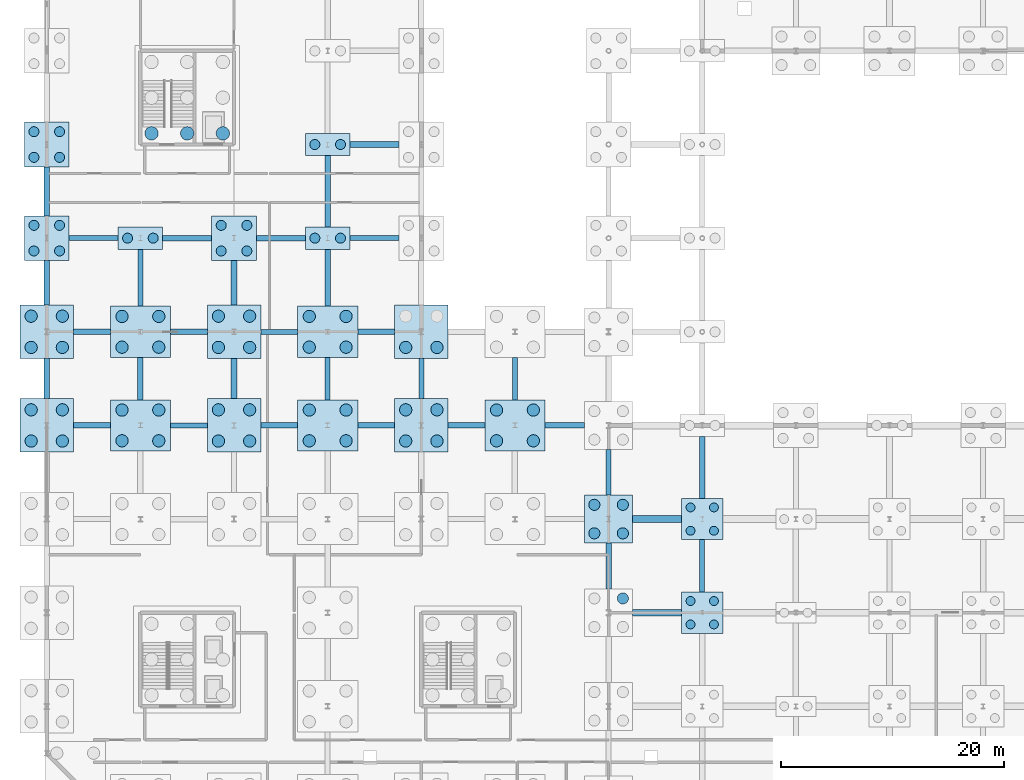
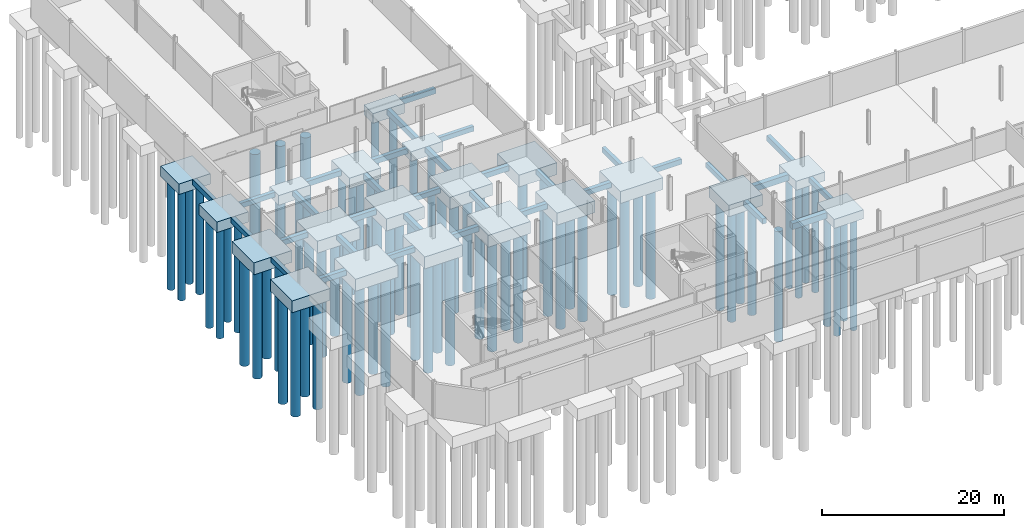
# One storey, part 2 of 51: 76 piles, 53 footings.
"""IFC4 building model written with IfcOpenShell, lengths in metres."""

from ifc_helpers import new_model, si_unit, direction, frame, origin, origin_2d, place, context, subcontext, project, spatial, rectangle, circle, extrude, material, material_profile, profile_set, type_object, element, save


model = new_model("IFC4")

# Units and contexts
model_context = context("Model", 3, precision=1e-05, world=origin(), true_north=direction((0.0, 1.0)))
body_context = subcontext(model_context, "Body", "Model", "MODEL_VIEW")
ifc_project = project(units=[si_unit("LENGTHUNIT", "METRE"), si_unit("AREAUNIT", "SQUARE_METRE"), si_unit("VOLUMEUNIT", "CUBIC_METRE"), si_unit("PLANEANGLEUNIT", "RADIAN"), si_unit("MASSUNIT", "GRAM", prefix="KILO")], contexts=[model_context])

# Site, building, storey
site_placement = place(None, origin())
site = spatial("IfcSite", under=ifc_project, at=site_placement, CompositionType="ELEMENT")
building_placement = place(site_placement, origin())
building = spatial("IfcBuilding", under=site, at=building_placement, Name="Qalvenar Corner Mobility Hub", CompositionType="ELEMENT")
storey_placement = place(building_placement, frame((0.0, 0.0, -4.5)))
storey = spatial("IfcBuildingStorey", under=building, at=storey_placement, Name="B1", CompositionType="ELEMENT", Elevation=-4.5)

# Footings
ifc_material = material(Name="Concrete C40/50", Category="concrete")
footing_type_1 = type_object("IfcFootingType", Name="PC-28X28X12", PredefinedType="PILE_CAP", material=ifc_material)
for number, where, z_axis, x_axis, name in (
    (1, (58.800048828125, 16.800048828125, -1.5498046875), (0.0, 0.0, 1.0), (1.0, 0.0, 0.0), "Pile Cap G8-2"),
    (2, (58.800048828125, 25.199951171875, -1.5498046875), (0.0, 0.0, 1.0), (1.0, 0.0, 0.0), "Pile Cap G8-3"),
):
    element("IfcFooting", number, at=place(storey_placement, frame(where, z_axis=z_axis, x_axis=x_axis)), inside=storey, type_object=footing_type_1, Name=name, PredefinedType="PILE_CAP", context=body_context, shape_type="SweptSolid", body=[
        extrude(rectangle(XDim=3.699951171875, YDim=3.699951171875, at=origin_2d()), origin(), (0.0, 0.0, 1.0), 1.199951171875),
    ])
footing_type_2 = type_object("IfcFootingType", Name="PC-32X24X13", PredefinedType="PILE_CAP", material=ifc_material)
for number, where, z_axis, x_axis, name in (
    (3, (8.39990234375, 50.39990234375, -1.64990234375), (0.0, 0.0, 1.0), (1.0, 0.0, 0.0), "Pile Cap G2-6"),
    (4, (25.199951171875, 50.39990234375, -1.64990234375), (0.0, 0.0, 1.0), (1.0, 0.0, 0.0), "Pile Cap G4-6"),
    (5, (25.199951171875, 58.800048828125, -1.64990234375), (0.0, 0.0, 1.0), (1.0, 0.0, 0.0), "Pile Cap G4-7"),
):
    element("IfcFooting", number, at=place(storey_placement, frame(where, z_axis=z_axis, x_axis=x_axis)), inside=storey, type_object=footing_type_2, Name=name, PredefinedType="PILE_CAP", context=body_context, shape_type="SweptSolid", body=[
        extrude(rectangle(XDim=4.0, YDim=2.0, at=origin_2d()), origin(), (0.0, 0.0, 1.0), 1.300048828125),
    ])
footing_type_3 = type_object("IfcFootingType", Name="PC-34X34X14", PredefinedType="PILE_CAP", material=ifc_material)
for number, where, z_axis, x_axis, name in (
    (6, (0.0, 50.39990234375, -1.75), (0.0, 0.0, 1.0), (1.0, 0.0, 0.0), "Pile Cap G1-6"),
    (7, (0.0, 58.800048828125, -1.75), (0.0, 0.0, 1.0), (1.0, 0.0, 0.0), "Pile Cap G1-7"),
    (8, (16.800048828125, 50.39990234375, -1.75), (0.0, 0.0, 1.0), (1.0, 0.0, 0.0), "Pile Cap G3-6"),
):
    element("IfcFooting", number, at=place(storey_placement, frame(where, z_axis=z_axis, x_axis=x_axis)), inside=storey, type_object=footing_type_3, Name=name, PredefinedType="PILE_CAP", context=body_context, shape_type="SweptSolid", body=[
        extrude(rectangle(XDim=4.0, YDim=4.0, at=origin_2d()), origin(), (0.0, 0.0, 1.0), 1.39990234375),
    ])
footing_type_4 = type_object("IfcFootingType", Name="PC-38X38X15", PredefinedType="PILE_CAP", material=ifc_material)
footing_1_placement = place(storey_placement, frame((50.39990234375, 25.199951171875, -1.85009765625), z_axis=(0.0, 0.0, 1.0), x_axis=(1.0, 0.0, 0.0)))
element("IfcFooting", 9, at=footing_1_placement, inside=storey, type_object=footing_type_4, Name="Pile Cap G7-3", PredefinedType="PILE_CAP", context=body_context, shape_type="SweptSolid", body=[
    extrude(rectangle(XDim=4.300048828125, YDim=4.300048828125, at=origin_2d()), origin(), (0.0, 0.0, 1.0), 1.5),
])
footing_type_5 = type_object("IfcFootingType", Name="PC-46X46X16", PredefinedType="PILE_CAP", material=ifc_material)
for number, where, z_axis, x_axis, name in (
    (10, (0.0, 33.60009765625, -1.949951171875), (0.0, 0.0, 1.0), (1.0, 0.0, 0.0), "Pile Cap G1-4"),
    (11, (0.0, 42.0, -1.949951171875), (0.0, 0.0, 1.0), (1.0, 0.0, 0.0), "Pile Cap G1-5"),
    (12, (16.800048828125, 33.60009765625, -1.949951171875), (0.0, 0.0, 1.0), (1.0, 0.0, 0.0), "Pile Cap G3-4"),
    (13, (16.800048828125, 42.0, -1.949951171875), (0.0, 0.0, 1.0), (1.0, 0.0, 0.0), "Pile Cap G3-5"),
    (14, (33.60009765625, 33.60009765625, -1.949951171875), (0.0, 0.0, 1.0), (1.0, 0.0, 0.0), "Pile Cap G5-4"),
    (15, (33.60009765625, 42.0, -1.949951171875), (0.0, 0.0, 1.0), (1.0, 0.0, 0.0), "Pile Cap G5-5"),
):
    element("IfcFooting", number, at=place(storey_placement, frame(where, z_axis=z_axis, x_axis=x_axis)), inside=storey, type_object=footing_type_5, Name=name, PredefinedType="PILE_CAP", context=body_context, shape_type="SweptSolid", body=[
        extrude(rectangle(XDim=4.800048828125, YDim=4.800048828125, at=origin_2d()), origin(), (0.0, 0.0, 1.0), 1.60009765625),
    ])
footing_type_6 = type_object("IfcFootingType", Name="PC-52X42X16", PredefinedType="PILE_CAP", material=ifc_material)
for number, where, z_axis, x_axis, name in (
    (16, (8.39990234375, 33.60009765625, -1.949951171875), (0.0, 0.0, 1.0), (1.0, 0.0, 0.0), "Pile Cap G2-4"),
    (17, (8.39990234375, 42.0, -1.949951171875), (0.0, 0.0, 1.0), (1.0, 0.0, 0.0), "Pile Cap G2-5"),
    (18, (25.199951171875, 33.60009765625, -1.949951171875), (0.0, 0.0, 1.0), (1.0, 0.0, 0.0), "Pile Cap G4-4"),
    (19, (25.199951171875, 42.0, -1.949951171875), (0.0, 0.0, 1.0), (1.0, 0.0, 0.0), "Pile Cap G4-5"),
    (20, (42.0, 33.60009765625, -1.949951171875), (0.0, 0.0, 1.0), (1.0, 0.0, 0.0), "Pile Cap G6-4"),
):
    element("IfcFooting", number, at=place(storey_placement, frame(where, z_axis=z_axis, x_axis=x_axis)), inside=storey, type_object=footing_type_6, Name=name, PredefinedType="PILE_CAP", context=body_context, shape_type="SweptSolid", body=[
        extrude(rectangle(XDim=5.39990234375, YDim=4.60009765625, at=origin_2d()), origin(), (0.0, 0.0, 1.0), 1.60009765625),
    ])

# Piles
ifc_material_profile_1 = material_profile(ifc_material, circle(Radius=0.5, at=origin_2d()), Name="DIA1000")
ifc_profile_set_1 = profile_set([ifc_material_profile_1], Name="Concrete C40/50")
pile_type_1 = type_object("IfcPileType", Name="PILE-1000", PredefinedType="BORED", material=ifc_profile_set_1)
for number, where, z_axis, x_axis, name in (
    (21, (51.679931640625, 18.080078125, -1.699951171875), (0.0, 0.0, -1.0), (1.0, 0.0, 0.0), "Bored Pile G7-2-4"),
    (22, (49.1201171875, 23.919921875, -1.699951171875), (0.0, 0.0, -1.0), (1.0, 0.0, 0.0), "Bored Pile G7-3-1"),
    (23, (49.1201171875, 26.47998046875, -1.699951171875), (0.0, 0.0, -1.0), (1.0, 0.0, 0.0), "Bored Pile G7-3-2"),
    (24, (51.679931640625, 23.919921875, -1.699951171875), (0.0, 0.0, -1.0), (1.0, 0.0, 0.0), "Bored Pile G7-3-3"),
    (25, (51.679931640625, 26.47998046875, -1.699951171875), (0.0, 0.0, -1.0), (1.0, 0.0, 0.0), "Bored Pile G7-3-4"),
):
    element("IfcPile", number, at=place(storey_placement, frame(where, z_axis=z_axis, x_axis=x_axis)), inside=storey, type_object=pile_type_1, Name=name, PredefinedType="BORED", context=body_context, shape_type="SweptSolid", body=[
        extrude(circle(Radius=0.5, at=origin_2d()), origin(), (0.0, 0.0, 1.0), 14.800048828125),
    ])
ifc_material_profile_2 = material_profile(ifc_material, circle(Radius=0.550048828125, at=origin_2d()), Name="DIA1100")
ifc_profile_set_2 = profile_set([ifc_material_profile_2], Name="Concrete C40/50")
pile_type_2 = type_object("IfcPileType", Name="PILE-1100", PredefinedType="BORED", material=ifc_profile_set_2)
for number, where, z_axis, x_axis, name in (
    (26, (-1.39990234375, 32.199951171875, -1.800048828125), (0.0, 0.0, -1.0), (1.0, 0.0, 0.0), "Bored Pile G1-4-1"),
    (27, (-1.39990234375, 35.0, -1.800048828125), (0.0, 0.0, -1.0), (1.0, 0.0, 0.0), "Bored Pile G1-4-2"),
    (28, (1.39990234375, 32.199951171875, -1.800048828125), (0.0, 0.0, -1.0), (1.0, 0.0, 0.0), "Bored Pile G1-4-3"),
    (29, (1.39990234375, 35.0, -1.800048828125), (0.0, 0.0, -1.0), (1.0, 0.0, 0.0), "Bored Pile G1-4-4"),
    (30, (-1.39990234375, 40.60009765625, -1.800048828125), (0.0, 0.0, -1.0), (1.0, 0.0, 0.0), "Bored Pile G1-5-1"),
    (31, (-1.39990234375, 43.39990234375, -1.800048828125), (0.0, 0.0, -1.0), (1.0, 0.0, 0.0), "Bored Pile G1-5-2"),
    (32, (1.39990234375, 40.60009765625, -1.800048828125), (0.0, 0.0, -1.0), (1.0, 0.0, 0.0), "Bored Pile G1-5-3"),
    (33, (1.39990234375, 43.39990234375, -1.800048828125), (0.0, 0.0, -1.0), (1.0, 0.0, 0.0), "Bored Pile G1-5-4"),
    (34, (6.75, 32.219970703125, -1.800048828125), (0.0, 0.0, -1.0), (1.0, 0.0, 0.0), "Bored Pile G2-4-1"),
    (35, (6.75, 34.97998046875, -1.800048828125), (0.0, 0.0, -1.0), (1.0, 0.0, 0.0), "Bored Pile G2-4-2"),
    (36, (10.050048828125, 32.219970703125, -1.800048828125), (0.0, 0.0, -1.0), (1.0, 0.0, 0.0), "Bored Pile G2-4-3"),
    (37, (10.050048828125, 34.97998046875, -1.800048828125), (0.0, 0.0, -1.0), (1.0, 0.0, 0.0), "Bored Pile G2-4-4"),
    (38, (6.75, 40.6201171875, -1.800048828125), (0.0, 0.0, -1.0), (1.0, 0.0, 0.0), "Bored Pile G2-5-1"),
    (39, (6.75, 43.3798828125, -1.800048828125), (0.0, 0.0, -1.0), (1.0, 0.0, 0.0), "Bored Pile G2-5-2"),
    (40, (10.050048828125, 40.6201171875, -1.800048828125), (0.0, 0.0, -1.0), (1.0, 0.0, 0.0), "Bored Pile G2-5-3"),
    (41, (10.050048828125, 43.3798828125, -1.800048828125), (0.0, 0.0, -1.0), (1.0, 0.0, 0.0), "Bored Pile G2-5-4"),
    (42, (15.39990234375, 32.199951171875, -1.800048828125), (0.0, 0.0, -1.0), (1.0, 0.0, 0.0), "Bored Pile G3-4-1"),
    (43, (15.39990234375, 35.0, -1.800048828125), (0.0, 0.0, -1.0), (1.0, 0.0, 0.0), "Bored Pile G3-4-2"),
    (44, (18.199951171875, 32.199951171875, -1.800048828125), (0.0, 0.0, -1.0), (1.0, 0.0, 0.0), "Bored Pile G3-4-3"),
    (45, (18.199951171875, 35.0, -1.800048828125), (0.0, 0.0, -1.0), (1.0, 0.0, 0.0), "Bored Pile G3-4-4"),
    (46, (15.39990234375, 40.60009765625, -1.800048828125), (0.0, 0.0, -1.0), (1.0, 0.0, 0.0), "Bored Pile G3-5-1"),
    (47, (15.39990234375, 43.39990234375, -1.800048828125), (0.0, 0.0, -1.0), (1.0, 0.0, 0.0), "Bored Pile G3-5-2"),
    (48, (18.199951171875, 40.60009765625, -1.800048828125), (0.0, 0.0, -1.0), (1.0, 0.0, 0.0), "Bored Pile G3-5-3"),
    (49, (18.199951171875, 43.39990234375, -1.800048828125), (0.0, 0.0, -1.0), (1.0, 0.0, 0.0), "Bored Pile G3-5-4"),
    (50, (23.550048828125, 32.219970703125, -1.800048828125), (0.0, 0.0, -1.0), (1.0, 0.0, 0.0), "Bored Pile G4-4-1"),
    (51, (23.550048828125, 34.97998046875, -1.800048828125), (0.0, 0.0, -1.0), (1.0, 0.0, 0.0), "Bored Pile G4-4-2"),
    (52, (26.85009765625, 32.219970703125, -1.800048828125), (0.0, 0.0, -1.0), (1.0, 0.0, 0.0), "Bored Pile G4-4-3"),
    (53, (26.85009765625, 34.97998046875, -1.800048828125), (0.0, 0.0, -1.0), (1.0, 0.0, 0.0), "Bored Pile G4-4-4"),
    (54, (23.550048828125, 40.6201171875, -1.800048828125), (0.0, 0.0, -1.0), (1.0, 0.0, 0.0), "Bored Pile G4-5-1"),
    (55, (23.550048828125, 43.3798828125, -1.800048828125), (0.0, 0.0, -1.0), (1.0, 0.0, 0.0), "Bored Pile G4-5-2"),
    (56, (26.85009765625, 40.6201171875, -1.800048828125), (0.0, 0.0, -1.0), (1.0, 0.0, 0.0), "Bored Pile G4-5-3"),
    (57, (26.85009765625, 43.3798828125, -1.800048828125), (0.0, 0.0, -1.0), (1.0, 0.0, 0.0), "Bored Pile G4-5-4"),
    (58, (32.199951171875, 32.199951171875, -1.800048828125), (0.0, 0.0, -1.0), (1.0, 0.0, 0.0), "Bored Pile G5-4-1"),
    (59, (32.199951171875, 35.0, -1.800048828125), (0.0, 0.0, -1.0), (1.0, 0.0, 0.0), "Bored Pile G5-4-2"),
    (60, (35.0, 32.199951171875, -1.800048828125), (0.0, 0.0, -1.0), (1.0, 0.0, 0.0), "Bored Pile G5-4-3"),
    (61, (35.0, 35.0, -1.800048828125), (0.0, 0.0, -1.0), (1.0, 0.0, 0.0), "Bored Pile G5-4-4"),
    (62, (32.199951171875, 40.60009765625, -1.800048828125), (0.0, 0.0, -1.0), (1.0, 0.0, 0.0), "Bored Pile G5-5-1"),
    (63, (35.0, 40.60009765625, -1.800048828125), (0.0, 0.0, -1.0), (1.0, 0.0, 0.0), "Bored Pile G5-5-3"),
    (64, (40.35009765625, 32.219970703125, -1.800048828125), (0.0, 0.0, -1.0), (1.0, 0.0, 0.0), "Bored Pile G6-4-1"),
    (65, (40.35009765625, 34.97998046875, -1.800048828125), (0.0, 0.0, -1.0), (1.0, 0.0, 0.0), "Bored Pile G6-4-2"),
    (66, (43.64990234375, 32.219970703125, -1.800048828125), (0.0, 0.0, -1.0), (1.0, 0.0, 0.0), "Bored Pile G6-4-3"),
    (67, (43.64990234375, 34.97998046875, -1.800048828125), (0.0, 0.0, -1.0), (1.0, 0.0, 0.0), "Bored Pile G6-4-4"),
):
    element("IfcPile", number, at=place(storey_placement, frame(where, z_axis=z_axis, x_axis=x_axis)), inside=storey, type_object=pile_type_2, Name=name, PredefinedType="BORED", context=body_context, shape_type="SweptSolid", body=[
        extrude(circle(Radius=0.550048828125, at=origin_2d()), origin(), (0.0, 0.0, 1.0), 14.699951171875),
    ])
ifc_material_profile_3 = material_profile(ifc_material, circle(Radius=0.60009765625, at=origin_2d()), Name="DIA1200")
ifc_profile_set_3 = profile_set([ifc_material_profile_3], Name="Concrete C40/50")
pile_type_3 = type_object("IfcPileType", Name="PILE-1200", PredefinedType="BORED", material=ifc_profile_set_3)
for number, where, z_axis, x_axis, name in (
    (68, (9.39990234375, 59.800048828125, -1.800048828125), (0.0, 0.0, -1.0), (1.0, 0.0, 0.0), "Bored Pile C5-01"),
    (69, (12.60009765625, 59.800048828125, -1.800048828125), (0.0, 0.0, -1.0), (1.0, 0.0, 0.0), "Bored Pile C5-04"),
    (70, (15.800048828125, 59.800048828125, -1.800048828125), (0.0, 0.0, -1.0), (1.0, 0.0, 0.0), "Bored Pile C5-07"),
):
    element("IfcPile", number, at=place(storey_placement, frame(where, z_axis=z_axis, x_axis=x_axis)), inside=storey, type_object=pile_type_3, Name=name, PredefinedType="BORED", context=body_context, shape_type="SweptSolid", body=[
        extrude(circle(Radius=0.60009765625, at=origin_2d()), origin(), (0.0, 0.0, 1.0), 14.699951171875),
    ])
ifc_material_profile_4 = material_profile(ifc_material, circle(Radius=0.39990234375, at=origin_2d()), Name="DIA800")
ifc_profile_set_4 = profile_set([ifc_material_profile_4], Name="Concrete C40/50")
pile_type_4 = type_object("IfcPileType", Name="PILE-800", PredefinedType="BORED", material=ifc_profile_set_4)
for number, where, z_axis, x_axis, name in (
    (71, (57.75, 15.75, -1.39990234375), (0.0, 0.0, -1.0), (1.0, 0.0, 0.0), "Bored Pile G8-2-1"),
    (72, (57.75, 17.85009765625, -1.39990234375), (0.0, 0.0, -1.0), (1.0, 0.0, 0.0), "Bored Pile G8-2-2"),
    (73, (59.85009765625, 15.75, -1.39990234375), (0.0, 0.0, -1.0), (1.0, 0.0, 0.0), "Bored Pile G8-2-3"),
    (74, (59.85009765625, 17.85009765625, -1.39990234375), (0.0, 0.0, -1.0), (1.0, 0.0, 0.0), "Bored Pile G8-2-4"),
    (75, (57.75, 24.14990234375, -1.39990234375), (0.0, 0.0, -1.0), (1.0, 0.0, 0.0), "Bored Pile G8-3-1"),
    (76, (57.75, 26.25, -1.39990234375), (0.0, 0.0, -1.0), (1.0, 0.0, 0.0), "Bored Pile G8-3-2"),
    (77, (59.85009765625, 24.14990234375, -1.39990234375), (0.0, 0.0, -1.0), (1.0, 0.0, 0.0), "Bored Pile G8-3-3"),
    (78, (59.85009765625, 26.25, -1.39990234375), (0.0, 0.0, -1.0), (1.0, 0.0, 0.0), "Bored Pile G8-3-4"),
):
    element("IfcPile", number, at=place(storey_placement, frame(where, z_axis=z_axis, x_axis=x_axis)), inside=storey, type_object=pile_type_4, Name=name, PredefinedType="BORED", context=body_context, shape_type="SweptSolid", body=[
        extrude(circle(Radius=0.39990234375, at=origin_2d()), origin(), (0.0, 0.0, 1.0), 15.10009765625),
    ])
ifc_material_profile_5 = material_profile(ifc_material, circle(Radius=0.449951171875, at=origin_2d()), Name="DIA900")
ifc_profile_set_5 = profile_set([ifc_material_profile_5], Name="Concrete C40/50")
pile_type_5 = type_object("IfcPileType", Name="PILE-900", PredefinedType="BORED", material=ifc_profile_set_5)
for number, where, z_axis, x_axis, name in (
    (79, (-1.14990234375, 49.25, -1.60009765625), (0.0, 0.0, -1.0), (1.0, 0.0, 0.0), "Bored Pile G1-6-1"),
    (80, (-1.14990234375, 51.550048828125, -1.60009765625), (0.0, 0.0, -1.0), (1.0, 0.0, 0.0), "Bored Pile G1-6-2"),
    (81, (1.14990234375, 49.25, -1.60009765625), (0.0, 0.0, -1.0), (1.0, 0.0, 0.0), "Bored Pile G1-6-3"),
    (82, (1.14990234375, 51.550048828125, -1.60009765625), (0.0, 0.0, -1.0), (1.0, 0.0, 0.0), "Bored Pile G1-6-4"),
    (83, (-1.14990234375, 57.64990234375, -1.60009765625), (0.0, 0.0, -1.0), (1.0, 0.0, 0.0), "Bored Pile G1-7-1"),
    (84, (-1.14990234375, 59.949951171875, -1.60009765625), (0.0, 0.0, -1.0), (1.0, 0.0, 0.0), "Bored Pile G1-7-2"),
    (85, (1.14990234375, 57.64990234375, -1.60009765625), (0.0, 0.0, -1.0), (1.0, 0.0, 0.0), "Bored Pile G1-7-3"),
    (86, (1.14990234375, 59.949951171875, -1.60009765625), (0.0, 0.0, -1.0), (1.0, 0.0, 0.0), "Bored Pile G1-7-4"),
):
    element("IfcPile", number, at=place(storey_placement, frame(where, z_axis=z_axis, x_axis=x_axis)), inside=storey, type_object=pile_type_5, Name=name, PredefinedType="BORED", context=body_context, shape_type="SweptSolid", body=[
        extrude(circle(Radius=0.449951171875, at=origin_2d()), origin(), (0.0, 0.0, 1.0), 14.89990234375),
    ])
for number, where, z_axis, x_axis, name in (
    (87, (7.25, 50.39990234375, -1.5), (0.0, 0.0, -1.0), (1.0, 0.0, 0.0), "Bored Pile G2-6-1"),
    (88, (9.550048828125, 50.39990234375, -1.5), (0.0, 0.0, -1.0), (1.0, 0.0, 0.0), "Bored Pile G2-6-2"),
):
    element("IfcPile", number, at=place(storey_placement, frame(where, z_axis=z_axis, x_axis=x_axis)), inside=storey, type_object=pile_type_5, Name=name, PredefinedType="BORED", context=body_context, shape_type="SweptSolid", body=[
        extrude(circle(Radius=0.449951171875, at=origin_2d()), origin(), (0.0, 0.0, 1.0), 15.0),
    ])
for number, where, z_axis, x_axis, name in (
    (89, (15.64990234375, 49.25, -1.60009765625), (0.0, 0.0, -1.0), (1.0, 0.0, 0.0), "Bored Pile G3-6-1"),
    (90, (15.64990234375, 51.550048828125, -1.60009765625), (0.0, 0.0, -1.0), (1.0, 0.0, 0.0), "Bored Pile G3-6-2"),
    (91, (17.949951171875, 49.25, -1.60009765625), (0.0, 0.0, -1.0), (1.0, 0.0, 0.0), "Bored Pile G3-6-3"),
    (92, (17.949951171875, 51.550048828125, -1.60009765625), (0.0, 0.0, -1.0), (1.0, 0.0, 0.0), "Bored Pile G3-6-4"),
):
    element("IfcPile", number, at=place(storey_placement, frame(where, z_axis=z_axis, x_axis=x_axis)), inside=storey, type_object=pile_type_5, Name=name, PredefinedType="BORED", context=body_context, shape_type="SweptSolid", body=[
        extrude(circle(Radius=0.449951171875, at=origin_2d()), origin(), (0.0, 0.0, 1.0), 14.89990234375),
    ])
for number, where, z_axis, x_axis, name in (
    (93, (24.050048828125, 50.39990234375, -1.5), (0.0, 0.0, -1.0), (1.0, 0.0, 0.0), "Bored Pile G4-6-1"),
    (94, (26.35009765625, 50.39990234375, -1.5), (0.0, 0.0, -1.0), (1.0, 0.0, 0.0), "Bored Pile G4-6-2"),
    (95, (24.050048828125, 58.800048828125, -1.5), (0.0, 0.0, -1.0), (1.0, 0.0, 0.0), "Bored Pile G4-7-1"),
    (96, (26.35009765625, 58.800048828125, -1.5), (0.0, 0.0, -1.0), (1.0, 0.0, 0.0), "Bored Pile G4-7-2"),
):
    element("IfcPile", number, at=place(storey_placement, frame(where, z_axis=z_axis, x_axis=x_axis)), inside=storey, type_object=pile_type_5, Name=name, PredefinedType="BORED", context=body_context, shape_type="SweptSolid", body=[
        extrude(circle(Radius=0.449951171875, at=origin_2d()), origin(), (0.0, 0.0, 1.0), 15.0),
    ])

# Footings
ifc_material_profile_6 = material_profile(ifc_material, rectangle(XDim=0.449951171875, YDim=0.64990234375, at=origin_2d()), Name="RC450x650")
ifc_profile_set_6 = profile_set([ifc_material_profile_6], Name="Concrete C40/50")
footing_type_7 = type_object("IfcFootingType", Name="TB-450X650", PredefinedType="FOOTING_BEAM", material=ifc_profile_set_6)
footing_2_placement = place(storey_placement, frame((0.0, 36.0, -0.675048828125), z_axis=(0.0, 1.0, 0.0), x_axis=(-1.0, 0.0, 0.0)))
element("IfcFooting", 97, at=footing_2_placement, inside=storey, type_object=footing_type_7, Name="Foundation Tie Beam TB-006", PredefinedType="FOOTING_BEAM", context=body_context, shape_type="SweptSolid", body=[
    extrude(rectangle(XDim=0.449951171875, YDim=0.64990234375, at=origin_2d()), origin(), (0.0, 0.0, 1.0), 3.60009765625),
])
footing_3_placement = place(storey_placement, frame((2.0, 50.39990234375, -0.675048828125), z_axis=(1.0, 0.0, 0.0), x_axis=(0.0, 1.0, 0.0)))
element("IfcFooting", 98, at=footing_3_placement, inside=storey, type_object=footing_type_7, Name="Foundation Tie Beam TB-009", PredefinedType="FOOTING_BEAM", context=body_context, shape_type="SweptSolid", body=[
    extrude(rectangle(XDim=0.449951171875, YDim=0.64990234375, at=origin_2d()), origin(), (0.0, 0.0, 1.0), 4.39990234375),
])
footing_4_placement = place(storey_placement, frame((11.10009765625, 33.60009765625, -0.675048828125), z_axis=(1.0, 0.0, 0.0), x_axis=(0.0, 1.0, 0.0)))
element("IfcFooting", 99, at=footing_4_placement, inside=storey, type_object=footing_type_7, Name="Foundation Tie Beam TB-021", PredefinedType="FOOTING_BEAM", context=body_context, shape_type="SweptSolid", body=[
    extrude(rectangle(XDim=0.449951171875, YDim=0.64990234375, at=origin_2d()), origin(), (0.0, 0.0, 1.0), 3.2998046875),
])
footing_5_placement = place(storey_placement, frame((8.39990234375, 44.300048828125, -0.675048828125), z_axis=(0.0, 1.0, 0.0), x_axis=(-1.0, 0.0, 0.0)))
element("IfcFooting", 100, at=footing_5_placement, inside=storey, type_object=footing_type_7, Name="Foundation Tie Beam TB-024", PredefinedType="FOOTING_BEAM", context=body_context, shape_type="SweptSolid", body=[
    extrude(rectangle(XDim=0.449951171875, YDim=0.64990234375, at=origin_2d()), origin(), (0.0, 0.0, 1.0), 5.099853515625),
])
footing_6_placement = place(storey_placement, frame((19.199951171875, 42.0, -0.675048828125), z_axis=(1.0, 0.0, 0.0), x_axis=(0.0, 1.0, 0.0)))
element("IfcFooting", 101, at=footing_6_placement, inside=storey, type_object=footing_type_7, Name="Foundation Tie Beam TB-036", PredefinedType="FOOTING_BEAM", context=body_context, shape_type="SweptSolid", body=[
    extrude(rectangle(XDim=0.449951171875, YDim=0.64990234375, at=origin_2d()), origin(), (0.0, 0.0, 1.0), 3.300048828125),
])
footing_7_placement = place(storey_placement, frame((25.199951171875, 35.89990234375, -0.675048828125), z_axis=(0.0, 1.0, 0.0), x_axis=(-1.0, 0.0, 0.0)))
element("IfcFooting", 102, at=footing_7_placement, inside=storey, type_object=footing_type_7, Name="Foundation Tie Beam TB-051", PredefinedType="FOOTING_BEAM", context=body_context, shape_type="SweptSolid", body=[
    extrude(rectangle(XDim=0.449951171875, YDim=0.64990234375, at=origin_2d()), origin(), (0.0, 0.0, 1.0), 3.800048828125),
])
footing_8_placement = place(storey_placement, frame((27.199951171875, 50.39990234375, -0.675048828125), z_axis=(1.0, 0.0, 0.0), x_axis=(0.0, 1.0, 0.0)))
element("IfcFooting", 103, at=footing_8_placement, inside=storey, type_object=footing_type_7, Name="Foundation Tie Beam TB-054", PredefinedType="FOOTING_BEAM", context=body_context, shape_type="SweptSolid", body=[
    extrude(rectangle(XDim=0.449951171875, YDim=0.64990234375, at=origin_2d()), origin(), (0.0, 0.0, 1.0), 4.400146484375),
])
footing_9_placement = place(storey_placement, frame((33.60009765625, 36.0, -0.675048828125), z_axis=(0.0, 1.0, 0.0), x_axis=(-1.0, 0.0, 0.0)))
element("IfcFooting", 104, at=footing_9_placement, inside=storey, type_object=footing_type_7, Name="Foundation Tie Beam TB-069", PredefinedType="FOOTING_BEAM", context=body_context, shape_type="SweptSolid", body=[
    extrude(rectangle(XDim=0.449951171875, YDim=0.64990234375, at=origin_2d()), origin(), (0.0, 0.0, 1.0), 3.60009765625),
])
footing_10_placement = place(storey_placement, frame((42.0, 35.89990234375, -0.675048828125), z_axis=(0.0, 1.0, 0.0), x_axis=(-1.0, 0.0, 0.0)))
element("IfcFooting", 105, at=footing_10_placement, inside=storey, type_object=footing_type_7, Name="Foundation Tie Beam TB-081", PredefinedType="FOOTING_BEAM", context=body_context, shape_type="SweptSolid", body=[
    extrude(rectangle(XDim=0.449951171875, YDim=0.64990234375, at=origin_2d()), origin(), (0.0, 0.0, 1.0), 3.800048828125),
])
footing_11_placement = place(storey_placement, frame((50.39990234375, 27.35009765625, -0.675048828125), z_axis=(0.0, 1.0, 0.0), x_axis=(-1.0, 0.0, 0.0)))
element("IfcFooting", 106, at=footing_11_placement, inside=storey, type_object=footing_type_7, Name="Foundation Tie Beam TB-090", PredefinedType="FOOTING_BEAM", context=body_context, shape_type="SweptSolid", body=[
    extrude(rectangle(XDim=0.449951171875, YDim=0.64990234375, at=origin_2d()), origin(), (0.0, 0.0, 1.0), 4.099853515625),
])
footing_12_placement = place(storey_placement, frame((58.800048828125, 18.64990234375, -0.675048828125), z_axis=(0.0, 1.0, 0.0), x_axis=(-1.0, 0.0, 0.0)))
element("IfcFooting", 107, at=footing_12_placement, inside=storey, type_object=footing_type_7, Name="Foundation Tie Beam TB-105", PredefinedType="FOOTING_BEAM", context=body_context, shape_type="SweptSolid", body=[
    extrude(rectangle(XDim=0.449951171875, YDim=0.64990234375, at=origin_2d()), origin(), (0.0, 0.0, 1.0), 4.7001953125),
])
ifc_material_profile_7 = material_profile(ifc_material, rectangle(XDim=0.5, YDim=0.699951171875, at=origin_2d()), Name="RC500x700")
ifc_profile_set_7 = profile_set([ifc_material_profile_7], Name="Concrete C40/50")
footing_type_8 = type_object("IfcFootingType", Name="TB-500X700", PredefinedType="FOOTING_BEAM", material=ifc_profile_set_7)
for number, where, z_axis, x_axis, name in (
    (108, (2.39990234375, 33.60009765625, -0.699951171875), (1.0, 0.0, 0.0), (0.0, 1.0, 0.0), "Foundation Tie Beam TB-005"),
    (109, (2.39990234375, 42.0, -0.699951171875), (1.0, 0.0, 0.0), (0.0, 1.0, 0.0), "Foundation Tie Beam TB-007"),
):
    element("IfcFooting", number, at=place(storey_placement, frame(where, z_axis=z_axis, x_axis=x_axis)), inside=storey, type_object=footing_type_8, Name=name, PredefinedType="FOOTING_BEAM", context=body_context, shape_type="SweptSolid", body=[
        extrude(rectangle(XDim=0.5, YDim=0.699951171875, at=origin_2d()), origin(), (0.0, 0.0, 1.0), 3.300048828125),
    ])
footing_13_placement = place(storey_placement, frame((0.0, 44.39990234375, -0.699951171875), z_axis=(0.0, 1.0, 0.0), x_axis=(-1.0, 0.0, 0.0)))
element("IfcFooting", 110, at=footing_13_placement, inside=storey, type_object=footing_type_8, Name="Foundation Tie Beam TB-008", PredefinedType="FOOTING_BEAM", context=body_context, shape_type="SweptSolid", body=[
    extrude(rectangle(XDim=0.5, YDim=0.699951171875, at=origin_2d()), origin(), (0.0, 0.0, 1.0), 4.0),
])
footing_14_placement = place(storey_placement, frame((0.0, 52.39990234375, -0.699951171875), z_axis=(0.0, 1.0, 0.0), x_axis=(-1.0, 0.0, 0.0)))
element("IfcFooting", 111, at=footing_14_placement, inside=storey, type_object=footing_type_8, Name="Foundation Tie Beam TB-010", PredefinedType="FOOTING_BEAM", context=body_context, shape_type="SweptSolid", body=[
    extrude(rectangle(XDim=0.5, YDim=0.699951171875, at=origin_2d()), origin(), (0.0, 0.0, 1.0), 4.400146484375),
])
footing_15_placement = place(storey_placement, frame((8.39990234375, 35.89990234375, -0.699951171875), z_axis=(0.0, 1.0, 0.0), x_axis=(-1.0, 0.0, 0.0)))
element("IfcFooting", 112, at=footing_15_placement, inside=storey, type_object=footing_type_8, Name="Foundation Tie Beam TB-022", PredefinedType="FOOTING_BEAM", context=body_context, shape_type="SweptSolid", body=[
    extrude(rectangle(XDim=0.5, YDim=0.699951171875, at=origin_2d()), origin(), (0.0, 0.0, 1.0), 3.800048828125),
])
footing_16_placement = place(storey_placement, frame((11.10009765625, 42.0, -0.699951171875), z_axis=(1.0, 0.0, 0.0), x_axis=(0.0, 1.0, 0.0)))
element("IfcFooting", 113, at=footing_16_placement, inside=storey, type_object=footing_type_8, Name="Foundation Tie Beam TB-023", PredefinedType="FOOTING_BEAM", context=body_context, shape_type="SweptSolid", body=[
    extrude(rectangle(XDim=0.5, YDim=0.699951171875, at=origin_2d()), origin(), (0.0, 0.0, 1.0), 3.2998046875),
])
footing_17_placement = place(storey_placement, frame((10.39990234375, 50.39990234375, -0.699951171875), z_axis=(1.0, 0.0, 0.0), x_axis=(0.0, 1.0, 0.0)))
element("IfcFooting", 114, at=footing_17_placement, inside=storey, type_object=footing_type_8, Name="Foundation Tie Beam TB-025", PredefinedType="FOOTING_BEAM", context=body_context, shape_type="SweptSolid", body=[
    extrude(rectangle(XDim=0.5, YDim=0.699951171875, at=origin_2d()), origin(), (0.0, 0.0, 1.0), 4.400146484375),
])
footing_18_placement = place(storey_placement, frame((19.199951171875, 33.60009765625, -0.699951171875), z_axis=(1.0, 0.0, 0.0), x_axis=(0.0, 1.0, 0.0)))
element("IfcFooting", 115, at=footing_18_placement, inside=storey, type_object=footing_type_8, Name="Foundation Tie Beam TB-034", PredefinedType="FOOTING_BEAM", context=body_context, shape_type="SweptSolid", body=[
    extrude(rectangle(XDim=0.5, YDim=0.699951171875, at=origin_2d()), origin(), (0.0, 0.0, 1.0), 3.300048828125),
])
footing_19_placement = place(storey_placement, frame((16.800048828125, 36.0, -0.699951171875), z_axis=(0.0, 1.0, 0.0), x_axis=(-1.0, 0.0, 0.0)))
element("IfcFooting", 116, at=footing_19_placement, inside=storey, type_object=footing_type_8, Name="Foundation Tie Beam TB-035", PredefinedType="FOOTING_BEAM", context=body_context, shape_type="SweptSolid", body=[
    extrude(rectangle(XDim=0.5, YDim=0.699951171875, at=origin_2d()), origin(), (0.0, 0.0, 1.0), 3.60009765625),
])
footing_20_placement = place(storey_placement, frame((16.800048828125, 44.39990234375, -0.699951171875), z_axis=(0.0, 1.0, 0.0), x_axis=(-1.0, 0.0, 0.0)))
element("IfcFooting", 117, at=footing_20_placement, inside=storey, type_object=footing_type_8, Name="Foundation Tie Beam TB-037", PredefinedType="FOOTING_BEAM", context=body_context, shape_type="SweptSolid", body=[
    extrude(rectangle(XDim=0.5, YDim=0.699951171875, at=origin_2d()), origin(), (0.0, 0.0, 1.0), 4.0),
])
footing_21_placement = place(storey_placement, frame((18.800048828125, 50.39990234375, -0.699951171875), z_axis=(1.0, 0.0, 0.0), x_axis=(0.0, 1.0, 0.0)))
element("IfcFooting", 118, at=footing_21_placement, inside=storey, type_object=footing_type_8, Name="Foundation Tie Beam TB-038", PredefinedType="FOOTING_BEAM", context=body_context, shape_type="SweptSolid", body=[
    extrude(rectangle(XDim=0.5, YDim=0.699951171875, at=origin_2d()), origin(), (0.0, 0.0, 1.0), 4.39990234375),
])
for number, where, z_axis, x_axis, name in (
    (119, (27.89990234375, 33.60009765625, -0.699951171875), (1.0, 0.0, 0.0), (0.0, 1.0, 0.0), "Foundation Tie Beam TB-050"),
    (120, (27.89990234375, 42.0, -0.699951171875), (1.0, 0.0, 0.0), (0.0, 1.0, 0.0), "Foundation Tie Beam TB-052"),
):
    element("IfcFooting", number, at=place(storey_placement, frame(where, z_axis=z_axis, x_axis=x_axis)), inside=storey, type_object=footing_type_8, Name=name, PredefinedType="FOOTING_BEAM", context=body_context, shape_type="SweptSolid", body=[
        extrude(rectangle(XDim=0.5, YDim=0.699951171875, at=origin_2d()), origin(), (0.0, 0.0, 1.0), 3.300048828125),
    ])
footing_22_placement = place(storey_placement, frame((25.199951171875, 44.300048828125, -0.699951171875), z_axis=(0.0, 1.0, 0.0), x_axis=(-1.0, 0.0, 0.0)))
element("IfcFooting", 121, at=footing_22_placement, inside=storey, type_object=footing_type_8, Name="Foundation Tie Beam TB-053", PredefinedType="FOOTING_BEAM", context=body_context, shape_type="SweptSolid", body=[
    extrude(rectangle(XDim=0.5, YDim=0.699951171875, at=origin_2d()), origin(), (0.0, 0.0, 1.0), 5.099853515625),
])
footing_23_placement = place(storey_placement, frame((25.199951171875, 51.39990234375, -0.699951171875), z_axis=(0.0, 1.0, 0.0), x_axis=(-1.0, 0.0, 0.0)))
element("IfcFooting", 122, at=footing_23_placement, inside=storey, type_object=footing_type_8, Name="Foundation Tie Beam TB-055", PredefinedType="FOOTING_BEAM", context=body_context, shape_type="SweptSolid", body=[
    extrude(rectangle(XDim=0.5, YDim=0.699951171875, at=origin_2d()), origin(), (0.0, 0.0, 1.0), 6.400146484375),
])
footing_24_placement = place(storey_placement, frame((27.199951171875, 58.800048828125, -0.699951171875), z_axis=(1.0, 0.0, 0.0), x_axis=(0.0, 1.0, 0.0)))
element("IfcFooting", 123, at=footing_24_placement, inside=storey, type_object=footing_type_8, Name="Foundation Tie Beam TB-056", PredefinedType="FOOTING_BEAM", context=body_context, shape_type="SweptSolid", body=[
    extrude(rectangle(XDim=0.5, YDim=0.699951171875, at=origin_2d()), origin(), (0.0, 0.0, 1.0), 4.400146484375),
])
footing_25_placement = place(storey_placement, frame((36.0, 33.60009765625, -0.699951171875), z_axis=(1.0, 0.0, 0.0), x_axis=(0.0, 1.0, 0.0)))
element("IfcFooting", 124, at=footing_25_placement, inside=storey, type_object=footing_type_8, Name="Foundation Tie Beam TB-068", PredefinedType="FOOTING_BEAM", context=body_context, shape_type="SweptSolid", body=[
    extrude(rectangle(XDim=0.5, YDim=0.699951171875, at=origin_2d()), origin(), (0.0, 0.0, 1.0), 3.300048828125),
])
footing_26_placement = place(storey_placement, frame((44.699951171875, 33.60009765625, -0.699951171875), z_axis=(1.0, 0.0, 0.0), x_axis=(0.0, 1.0, 0.0)))
element("IfcFooting", 125, at=footing_26_placement, inside=storey, type_object=footing_type_8, Name="Foundation Tie Beam TB-080", PredefinedType="FOOTING_BEAM", context=body_context, shape_type="SweptSolid", body=[
    extrude(rectangle(XDim=0.5, YDim=0.699951171875, at=origin_2d()), origin(), (0.0, 0.0, 1.0), 3.550048828125),
])
footing_27_placement = place(storey_placement, frame((50.39990234375, 18.949951171875, -0.699951171875), z_axis=(0.0, 1.0, 0.0), x_axis=(-1.0, 0.0, 0.0)))
element("IfcFooting", 126, at=footing_27_placement, inside=storey, type_object=footing_type_8, Name="Foundation Tie Beam TB-088", PredefinedType="FOOTING_BEAM", context=body_context, shape_type="SweptSolid", body=[
    extrude(rectangle(XDim=0.5, YDim=0.699951171875, at=origin_2d()), origin(), (0.0, 0.0, 1.0), 4.10009765625),
])
footing_28_placement = place(storey_placement, frame((58.800048828125, 27.050048828125, -0.699951171875), z_axis=(0.0, 1.0, 0.0), x_axis=(-1.0, 0.0, 0.0)))
element("IfcFooting", 127, at=footing_28_placement, inside=storey, type_object=footing_type_8, Name="Foundation Tie Beam TB-107", PredefinedType="FOOTING_BEAM", context=body_context, shape_type="SweptSolid", body=[
    extrude(rectangle(XDim=0.5, YDim=0.699951171875, at=origin_2d()), origin(), (0.0, 0.0, 1.0), 5.550048828125),
])
ifc_material_profile_8 = material_profile(ifc_material, rectangle(XDim=0.60009765625, YDim=0.800048828125, at=origin_2d()), Name="RC600x800")
ifc_profile_set_8 = profile_set([ifc_material_profile_8], Name="Concrete C40/50")
footing_type_9 = type_object("IfcFootingType", Name="TB-600X800", PredefinedType="FOOTING_BEAM", material=ifc_profile_set_8)
for number, where, z_axis, x_axis, name in (
    (128, (52.550048828125, 16.800048828125, -0.75), (1.0, 0.0, 0.0), (0.0, 1.0, 0.0), "Foundation Tie Beam TB-087"),
    (129, (52.550048828125, 25.199951171875, -0.75), (1.0, 0.0, 0.0), (0.0, 1.0, 0.0), "Foundation Tie Beam TB-089"),
):
    element("IfcFooting", number, at=place(storey_placement, frame(where, z_axis=z_axis, x_axis=x_axis)), inside=storey, type_object=footing_type_9, Name=name, PredefinedType="FOOTING_BEAM", context=body_context, shape_type="SweptSolid", body=[
        extrude(rectangle(XDim=0.60009765625, YDim=0.800048828125, at=origin_2d()), origin(), (0.0, 0.0, 1.0), 4.39990234375),
    ])

save(model, "model.ifc")
